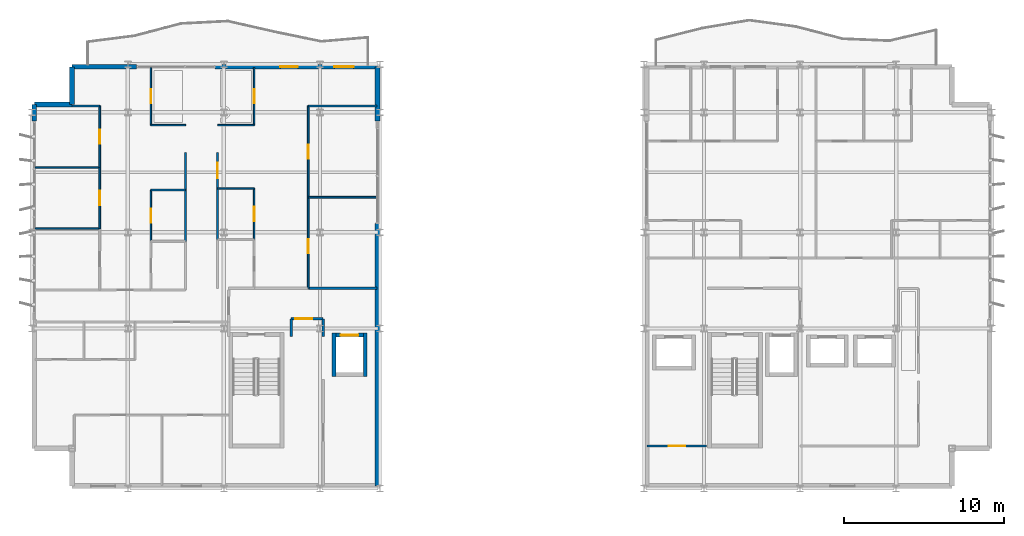
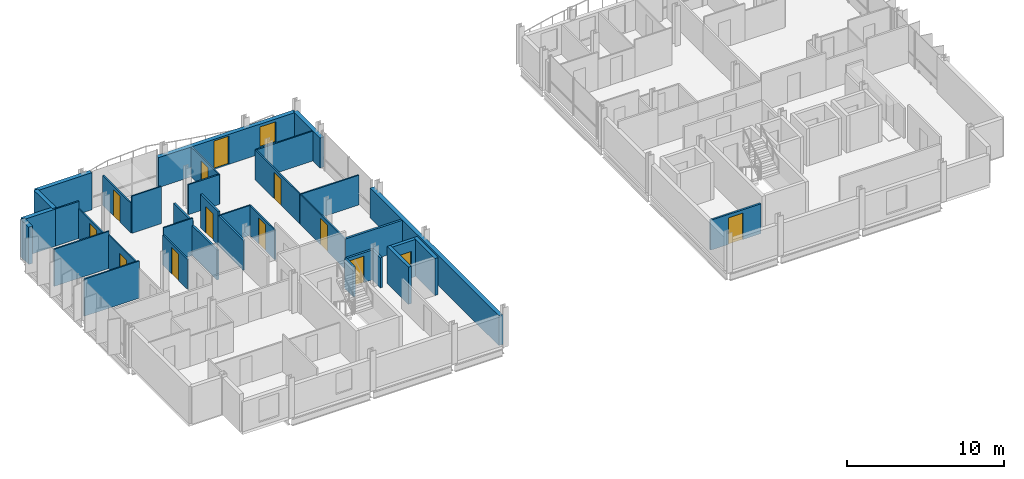
# One storey, part 22 of 28: 36 walls, 13 doors, 1 window, 14 openings.
"""IFC4 building model written with IfcOpenShell, lengths in metres."""

from ifc_helpers import new_model, si_unit, direction, frame, frame_2d, origin, place, context, subcontext, project, spatial, rectangle, extrude, material, layer, layer_set, type_object, element, fill, save


model = new_model("IFC4")

# Units and contexts
model_context = context("Model", 3, precision=1e-05, world=origin(), true_north=direction((0.0, 1.0)))
body_context = subcontext(model_context, "Body", "Model", "MODEL_VIEW")
ifc_project = project(units=[si_unit("LENGTHUNIT", "METRE"), si_unit("AREAUNIT", "SQUARE_METRE"), si_unit("VOLUMEUNIT", "CUBIC_METRE"), si_unit("PLANEANGLEUNIT", "RADIAN"), si_unit("MASSUNIT", "GRAM", prefix="KILO")], contexts=[model_context])

# Site, building, storey
site_placement = place(None, origin())
site = spatial("IfcSite", under=ifc_project, at=site_placement, CompositionType="ELEMENT")
building_placement = place(site_placement, origin())
building = spatial("IfcBuilding", under=site, at=building_placement, Name="Brevholm Reach", CompositionType="ELEMENT")
storey_placement = place(building_placement, frame((0.0, 0.0, 192.5)))
storey = spatial("IfcBuildingStorey", under=building, at=storey_placement, Name="L58", CompositionType="ELEMENT", Elevation=192.5)

# Walls
ifc_material_1 = material(Name="Concrete C45/55", Category="concrete")
ifc_layer_1 = layer(ifc_material_1, 0.239990234375)
ifc_layer_set_1 = layer_set([ifc_layer_1], Name="Concrete C45/55")
wall_type_1 = type_object("IfcWallType", Name="WAL-COR-240", PredefinedType="SHEAR", material=ifc_layer_set_1)
for number, where, z_axis, x_axis, name in (
    (1, (18.8701171875, 7.0, 0.0), (0.0, 0.0, 1.0), (0.0, 1.0, 0.0), "L58 Lift FFL-1 Shaft Wall W"),
    (2, (20.830078125, 7.0, 0.0), (0.0, 0.0, 1.0), (0.0, 1.0, 0.0), "L58 Lift FFL-1 Shaft Wall E"),
):
    element("IfcWall", number, at=place(storey_placement, frame(where, z_axis=z_axis, x_axis=x_axis)), inside=storey, type_object=wall_type_1, Name=name, PredefinedType="SHEAR", context=body_context, shape_type="SweptSolid", body=[
        extrude(rectangle(XDim=2.699951171875, YDim=0.239990234375, at=frame_2d((1.35009765625, 0.0))), origin(), (0.0, 0.0, 1.0), 2.889892578125),
    ])

# Wall, opening, door
wall_1_placement = place(storey_placement, frame((18.989990234375, 9.580078125, 0.0), z_axis=(0.0, 0.0, 1.0), x_axis=(1.0, 0.0, 0.0)))
wall_1 = element("IfcWall", 3, at=wall_1_placement, inside=storey, type_object=wall_type_1, Name="L58 Lift FFL-1 Shaft Wall N", PredefinedType="SHEAR", context=body_context, shape_type="SweptSolid", body=[
    extrude(rectangle(XDim=1.719970703125, YDim=0.239990234375, at=frame_2d((0.85986328125, 0.0))), origin(), (0.0, 0.0, 1.0), 2.889892578125),
])
opening_1_placement = place(wall_1_placement, frame((0.31005859375, 0.0, 0.0)))
opening_1 = element("IfcOpeningElement", 4, at=opening_1_placement, cuts=wall_1, Name="Opening LD-FFL-1", PredefinedType="OPENING", context=body_context, shape_type="SweptSolid", body=[
    extrude(rectangle(XDim=1.10009765625, YDim=2.06005859375, at=frame_2d((0.550048828125, 1.030029296875))), frame((0.0, 0.1298828125, 0.0), z_axis=(0.0, -1.0, 0.0), x_axis=(1.0, 0.0, 0.0)), (0.0, 0.0, 1.0), 0.260009765625),
])
ifc_material_2 = material(Name="Brushed Stainless Steel Fire-Rated Sliding Lift Door", Category="steel")
door_type_1 = type_object("IfcDoorType", Name="DOR-LFT-1100", OperationType="NOTDEFINED", PredefinedType="DOOR", material=ifc_material_2)
door_1_placement = place(opening_1_placement, origin())
door_1 = element("IfcDoor", 5, at=door_1_placement, inside=storey, type_object=door_type_1, Name="L58 Lift FFL-1 Sliding Landing Door", OperationType="SLIDING_TO_RIGHT", OverallHeight=2.06005859375, OverallWidth=1.10009765625, PredefinedType="DOOR", context=body_context, shape_type="SweptSolid", body=[
    extrude(rectangle(XDim=1.10009765625, YDim=2.06005859375, at=frame_2d((0.550048828125, 1.030029296875))), frame((0.0, 0.02490234375, 0.0), z_axis=(0.0, -1.0, 0.0), x_axis=(1.0, 0.0, 0.0)), (0.0, 0.0, 1.0), 0.050048828125),
])
fill(opening_1, door_1)

# Walls
ifc_material_3 = material(Name="Concrete C40/50", Category="concrete")
ifc_layer_2 = layer(ifc_material_3, 0.300048828125)
ifc_layer_set_2 = layer_set([ifc_layer_2], Name="Concrete C40/50")
wall_type_2 = type_object("IfcWallType", Name="WAL-EXT-300", PredefinedType="STANDARD", material=ifc_layer_set_2)
for number, where, z_axis, x_axis, name in (
    (6, (2.5, 26.35009765625, 0.0), (0.0, 0.0, 1.0), (0.0, -1.0, 0.0), "L58 Facade Wall WAL-L58-WW-CNW1"),
    (7, (2.5, 24.0, 0.0), (0.0, 0.0, 1.0), (-1.0, 0.0, 0.0), "L58 Facade Wall WAL-L58-WW-CNW2"),
):
    element("IfcWall", number, at=place(storey_placement, frame(where, z_axis=z_axis, x_axis=x_axis)), inside=storey, type_object=wall_type_2, Name=name, PredefinedType="STANDARD", context=body_context, shape_type="SweptSolid", body=[
        extrude(rectangle(XDim=2.35009765625, YDim=0.300048828125, at=frame_2d((1.175048828125, 0.0))), origin(), (0.0, 0.0, 1.0), 2.889892578125),
    ])
wall_2_placement = place(storey_placement, frame((0.14990234375, 24.0, 0.0), z_axis=(0.0, 0.0, 1.0), x_axis=(0.0, -1.0, 0.0)))
element("IfcWall", 8, at=wall_2_placement, inside=storey, type_object=wall_type_2, Name="L58 Facade Wall WAL-L58-WW-WN", PredefinedType="STANDARD", context=body_context, shape_type="SweptSolid", body=[
    extrude(rectangle(XDim=1.050048828125, YDim=0.300048828125, at=frame_2d((0.52490234375, 0.0))), origin(), (0.0, 0.0, 1.0), 2.889892578125),
])
wall_3_placement = place(storey_placement, frame((2.5, 26.35009765625, 0.0), z_axis=(0.0, 0.0, 1.0), x_axis=(1.0, 0.0, 0.0)))
element("IfcWall", 9, at=wall_3_placement, inside=storey, type_object=wall_type_2, Name="L58 Facade Wall WAL-L58-WW-NP1", PredefinedType="STANDARD", context=body_context, shape_type="SweptSolid", body=[
    extrude(rectangle(XDim=4.050048828125, YDim=0.300048828125, at=frame_2d((2.02490234375, 0.0))), origin(), (0.0, 0.0, 1.0), 2.889892578125),
])

# Wall, openings, door, window
wall_4_placement = place(storey_placement, frame((11.449951171875, 26.35009765625, 0.0), z_axis=(0.0, 0.0, 1.0), x_axis=(1.0, 0.0, 0.0)))
wall_4 = element("IfcWall", 10, at=wall_4_placement, inside=storey, type_object=wall_type_2, Name="L58 Facade Wall WAL-L58-WW-NP2", PredefinedType="STANDARD", context=body_context, shape_type="SweptSolid", body=[
    extrude(rectangle(XDim=10.150146484375, YDim=0.300048828125, at=frame_2d((5.0751953125, 0.0))), origin(), (0.0, 0.0, 1.0), 2.331787109375),
])
opening_2_placement = place(wall_4_placement, frame((4.073974609375, 0.0, 0.0)))
opening_2 = element("IfcOpeningElement", 11, at=opening_2_placement, cuts=wall_4, Name="Opening BD-01", PredefinedType="OPENING", context=body_context, shape_type="SweptSolid", body=[
    extrude(rectangle(XDim=1.10009765625, YDim=2.199951171875, at=frame_2d((0.550048828125, 1.10009765625))), frame((0.0, 0.159912109375, 0.0), z_axis=(0.0, -1.0, 0.0), x_axis=(1.0, 0.0, 0.0)), (0.0, 0.0, 1.0), 0.320068359375),
])
opening_3_placement = place(wall_4_placement, frame((7.449951171875, 0.0, 0.511962890625)))
opening_3 = element("IfcOpeningElement", 12, at=opening_3_placement, cuts=wall_4, Name="Opening WN-08", PredefinedType="OPENING", context=body_context, shape_type="SweptSolid", body=[
    extrude(rectangle(XDim=1.199951171875, YDim=1.60009765625, at=frame_2d((0.60009765625, 0.800048828125))), frame((0.0, 0.159912109375, 0.0), z_axis=(0.0, -1.0, 0.0), x_axis=(1.0, 0.0, 0.0)), (0.0, 0.0, 1.0), 0.320068359375),
])
ifc_material_4 = material(Name="Dark Anodised Aluminium and Triple-Glazed Glass", Category="aluminium")
door_type_2 = type_object("IfcDoorType", Name="DOR-BALC-1100", OperationType="NOTDEFINED", PredefinedType="DOOR", material=ifc_material_4)
door_2_placement = place(opening_2_placement, origin())
door_2 = element("IfcDoor", 13, at=door_2_placement, inside=storey, type_object=door_type_2, Name="L58 Exterior Door DOR-L58-BL-NW", OperationType="SINGLE_SWING_RIGHT", OverallHeight=2.199951171875, OverallWidth=1.10009765625, PredefinedType="DOOR", context=body_context, shape_type="SweptSolid", body=[
    extrude(rectangle(XDim=1.10009765625, YDim=2.199951171875, at=frame_2d((0.550048828125, 1.10009765625))), frame((0.0, 0.02490234375, 0.0), z_axis=(0.0, -1.0, 0.0), x_axis=(1.0, 0.0, 0.0)), (0.0, 0.0, 1.0), 0.050048828125),
])
fill(opening_2, door_2)
ifc_material_5 = material(Name="Dark Anodised Aluminium and Solar-Control IGU Glass", Category="aluminium")
window_type = type_object("IfcWindowType", Name="WIN-RES-1200", PartitioningType="SINGLE_PANEL", PredefinedType="WINDOW", material=ifc_material_5)
window_placement = place(opening_3_placement, origin())
window = element("IfcWindow", 14, at=window_placement, inside=storey, type_object=window_type, Name="L58 Window WIN-L58-WW-NP2", OverallHeight=1.60009765625, OverallWidth=1.199951171875, PartitioningType="SINGLE_PANEL", PredefinedType="WINDOW", context=body_context, shape_type="SweptSolid", body=[
    extrude(rectangle(XDim=1.199951171875, YDim=1.60009765625, at=frame_2d((0.60009765625, 0.800048828125))), frame((0.0, 0.030029296875, 0.0), z_axis=(0.0, -1.0, 0.0), x_axis=(1.0, 0.0, 0.0)), (0.0, 0.0, 1.0), 0.06005859375),
])
fill(opening_3, window)

# Walls
wall_5_placement = place(storey_placement, frame((21.60009765625, 0.14990234375, 0.0), z_axis=(0.0, 0.0, 1.0), x_axis=(0.0, 1.0, 0.0)))
element("IfcWall", 15, at=wall_5_placement, inside=storey, type_object=wall_type_2, Name="L58 Facade Wall WAL-L58-VP-WS", PredefinedType="STANDARD", context=body_context, shape_type="SweptSolid", body=[
    extrude(rectangle(XDim=16.400146484375, YDim=0.300048828125, at=frame_2d((8.2001953125, 0.0))), origin(), (0.0, 0.0, 1.0), 2.331787109375),
])
wall_6_placement = place(storey_placement, frame((21.60009765625, 22.949951171875, 0.0), z_axis=(0.0, 0.0, 1.0), x_axis=(0.0, 1.0, 0.0)))
element("IfcWall", 16, at=wall_6_placement, inside=storey, type_object=wall_type_2, Name="L58 Facade Wall WAL-L58-VP-WN", PredefinedType="STANDARD", context=body_context, shape_type="SweptSolid", body=[
    extrude(rectangle(XDim=3.400146484375, YDim=0.300048828125, at=frame_2d((1.7001953125, 0.0))), origin(), (0.0, 0.0, 1.0), 2.331787109375),
])
ifc_material_6 = material(Name="Moisture-Resistant Acoustic Gypsum Stud Partition 100 mm", Category="gypsum")
ifc_layer_3 = layer(ifc_material_6, 0.10009765625)
ifc_layer_set_3 = layer_set([ifc_layer_3], Name="Moisture-Resistant Acoustic Gypsum Stud Partition 100 mm")
wall_type_3 = type_object("IfcWallType", Name="WAL-PRT-100", PredefinedType="PARTITIONING", material=ifc_layer_set_3)
wall_7_placement = place(storey_placement, frame((7.43798828125, 18.64990234375, 0.0), z_axis=(0.0, 0.0, 1.0), x_axis=(1.0, 0.0, 0.0)))
element("IfcWall", 17, at=wall_7_placement, inside=storey, type_object=wall_type_3, Name="L58 Internal Partition 046", PredefinedType="PARTITIONING", context=body_context, shape_type="SweptSolid", body=[
    extrude(rectangle(XDim=2.157958984375, YDim=0.10009765625, at=frame_2d((1.0791015625, 0.0))), origin(), (0.0, 0.0, 1.0), 2.889892578125),
])

# Wall, opening, door
wall_8_placement = place(storey_placement, frame((7.43798828125, 15.4541015625, 0.0), z_axis=(0.0, 0.0, 1.0), x_axis=(0.0, 1.0, 0.0)))
wall_8 = element("IfcWall", 18, at=wall_8_placement, inside=storey, type_object=wall_type_3, Name="L58 Internal Partition 047", PredefinedType="PARTITIONING", context=body_context, shape_type="SweptSolid", body=[
    extrude(rectangle(XDim=3.19580078125, YDim=0.10009765625, at=frame_2d((1.597900390625, 0.0))), origin(), (0.0, 0.0, 1.0), 2.325439453125),
])
opening_4_placement = place(wall_8_placement, frame((1.157958984375, 0.0, 0.0)))
opening_4 = element("IfcOpeningElement", 19, at=opening_4_placement, cuts=wall_8, Name="Opening ID-01", PredefinedType="OPENING", context=body_context, shape_type="SweptSolid", body=[
    extrude(rectangle(XDim=0.8798828125, YDim=2.0400390625, at=frame_2d((0.43994140625, 1.02001953125))), frame((0.0, 0.06005859375, 0.0), z_axis=(0.0, -1.0, 0.0), x_axis=(1.0, 0.0, 0.0)), (0.0, 0.0, 1.0), 0.1201171875),
])
ifc_material_7 = material(Name="Lacquered Ash Solid-Core Acoustic Internal Door", Category="timber")
door_type_3 = type_object("IfcDoorType", Name="DOR-INT-880", OperationType="NOTDEFINED", PredefinedType="DOOR", material=ifc_material_7)
door_3_placement = place(opening_4_placement, origin())
door_3 = element("IfcDoor", 20, at=door_3_placement, inside=storey, type_object=door_type_3, Name="L58 Internal Door 019", OperationType="SINGLE_SWING_RIGHT", OverallHeight=2.0400390625, OverallWidth=0.8798828125, PredefinedType="DOOR", context=body_context, shape_type="SweptSolid", body=[
    extrude(rectangle(XDim=0.8798828125, YDim=2.0400390625, at=frame_2d((0.43994140625, 1.02001953125))), frame((0.0, 0.02490234375, 0.0), z_axis=(0.0, -1.0, 0.0), x_axis=(1.0, 0.0, 0.0)), (0.0, 0.0, 1.0), 0.050048828125),
])
fill(opening_4, door_3)

# Wall
wall_9_placement = place(storey_placement, frame((7.43798828125, 22.699951171875, 0.0), z_axis=(0.0, 0.0, 1.0), x_axis=(1.0, 0.0, 0.0)))
element("IfcWall", 21, at=wall_9_placement, inside=storey, type_object=wall_type_3, Name="L58 Internal Partition 048", PredefinedType="PARTITIONING", context=body_context, shape_type="SweptSolid", body=[
    extrude(rectangle(XDim=2.162109375, YDim=0.10009765625, at=frame_2d((1.0810546875, 0.0))), origin(), (0.0, 0.0, 1.0), 2.889892578125),
])

# Wall, opening, door
wall_10_placement = place(storey_placement, frame((7.43798828125, 22.699951171875, 0.0), z_axis=(0.0, 0.0, 1.0), x_axis=(0.0, 1.0, 0.0)))
wall_10 = element("IfcWall", 22, at=wall_10_placement, inside=storey, type_object=wall_type_3, Name="L58 Internal Partition 049", PredefinedType="PARTITIONING", context=body_context, shape_type="SweptSolid", body=[
    extrude(rectangle(XDim=3.60009765625, YDim=0.10009765625, at=frame_2d((1.800048828125, 0.0))), origin(), (0.0, 0.0, 1.0), 2.325439453125),
])
opening_5_placement = place(wall_10_placement, frame((1.360107421875, 0.0, 0.0)))
opening_5 = element("IfcOpeningElement", 23, at=opening_5_placement, cuts=wall_10, Name="Opening ID-01", PredefinedType="OPENING", context=body_context, shape_type="SweptSolid", body=[
    extrude(rectangle(XDim=0.8798828125, YDim=2.0400390625, at=frame_2d((0.43994140625, 1.02001953125))), frame((0.0, 0.06005859375, 0.0), z_axis=(0.0, -1.0, 0.0), x_axis=(1.0, 0.0, 0.0)), (0.0, 0.0, 1.0), 0.1201171875),
])
door_4_placement = place(opening_5_placement, origin())
door_4 = element("IfcDoor", 24, at=door_4_placement, inside=storey, type_object=door_type_3, Name="L58 Internal Door 020", OperationType="SINGLE_SWING_LEFT", OverallHeight=2.0400390625, OverallWidth=0.8798828125, PredefinedType="DOOR", context=body_context, shape_type="SweptSolid", body=[
    extrude(rectangle(XDim=0.8798828125, YDim=2.0400390625, at=frame_2d((0.43994140625, 1.02001953125))), frame((0.0, 0.02490234375, 0.0), z_axis=(0.0, -1.0, 0.0), x_axis=(1.0, 0.0, 0.0)), (0.0, 0.0, 1.0), 0.050048828125),
])
fill(opening_5, door_4)

# Walls
for number, where, z_axis, x_axis, name in (
    (25, (0.199951171875, 16.23291015625, 0.0), (0.0, 0.0, 1.0), (1.0, 0.0, 0.0), "L58 Internal Partition 050"),
    (26, (0.199951171875, 20.06591796875, 0.0), (0.0, 0.0, 1.0), (1.0, 0.0, 0.0), "L58 Internal Partition 052"),
):
    element("IfcWall", number, at=place(storey_placement, frame(where, z_axis=z_axis, x_axis=x_axis)), inside=storey, type_object=wall_type_3, Name=name, PredefinedType="PARTITIONING", context=body_context, shape_type="SweptSolid", body=[
        extrude(rectangle(XDim=4.0419921875, YDim=0.10009765625, at=frame_2d((2.02099609375, 0.0))), origin(), (0.0, 0.0, 1.0), 2.889892578125),
    ])

# Wall, opening, door
wall_11_placement = place(storey_placement, frame((4.241943359375, 16.237060546875, 0.0), z_axis=(0.0, 0.0, 1.0), x_axis=(0.0, 1.0, 0.0)))
wall_11 = element("IfcWall", 27, at=wall_11_placement, inside=storey, type_object=wall_type_3, Name="L58 Internal Partition 053", PredefinedType="PARTITIONING", context=body_context, shape_type="SweptSolid", body=[
    extrude(rectangle(XDim=3.828857421875, YDim=0.10009765625, at=frame_2d((1.91455078125, 0.0))), origin(), (0.0, 0.0, 1.0), 2.613525390625),
])
opening_6_placement = place(wall_11_placement, frame((1.474609375, 0.0, 0.0)))
opening_6 = element("IfcOpeningElement", 28, at=opening_6_placement, cuts=wall_11, Name="Opening ID-01", PredefinedType="OPENING", context=body_context, shape_type="SweptSolid", body=[
    extrude(rectangle(XDim=0.8798828125, YDim=2.0400390625, at=frame_2d((0.43994140625, 1.02001953125))), frame((0.0, 0.06005859375, 0.0), z_axis=(0.0, -1.0, 0.0), x_axis=(1.0, 0.0, 0.0)), (0.0, 0.0, 1.0), 0.1201171875),
])
door_5_placement = place(opening_6_placement, origin())
door_5 = element("IfcDoor", 29, at=door_5_placement, inside=storey, type_object=door_type_3, Name="L58 Internal Door 022", OperationType="SINGLE_SWING_LEFT", OverallHeight=2.0400390625, OverallWidth=0.8798828125, PredefinedType="DOOR", context=body_context, shape_type="SweptSolid", body=[
    extrude(rectangle(XDim=0.8798828125, YDim=2.0400390625, at=frame_2d((0.43994140625, 1.02001953125))), frame((0.0, 0.02490234375, 0.0), z_axis=(0.0, -1.0, 0.0), x_axis=(1.0, 0.0, 0.0)), (0.0, 0.0, 1.0), 0.050048828125),
])
fill(opening_6, door_5)

# Wall
wall_12_placement = place(storey_placement, frame((2.52001953125, 23.89892578125, 0.0), z_axis=(0.0, 0.0, 1.0), x_axis=(1.0, 0.0, 0.0)))
element("IfcWall", 30, at=wall_12_placement, inside=storey, type_object=wall_type_3, Name="L58 Internal Partition 054", PredefinedType="PARTITIONING", context=body_context, shape_type="SweptSolid", body=[
    extrude(rectangle(XDim=1.721923828125, YDim=0.10009765625, at=frame_2d((0.86083984375, 0.0))), origin(), (0.0, 0.0, 1.0), 2.889892578125),
])

# Wall, opening, door
wall_13_placement = place(storey_placement, frame((4.241943359375, 20.070068359375, 0.0), z_axis=(0.0, 0.0, 1.0), x_axis=(0.0, 1.0, 0.0)))
wall_13 = element("IfcWall", 31, at=wall_13_placement, inside=storey, type_object=wall_type_3, Name="L58 Internal Partition 055", PredefinedType="PARTITIONING", context=body_context, shape_type="SweptSolid", body=[
    extrude(rectangle(XDim=3.828857421875, YDim=0.10009765625, at=frame_2d((1.91455078125, 0.0))), origin(), (0.0, 0.0, 1.0), 2.325439453125),
])
opening_7_placement = place(wall_13_placement, frame((1.474609375, 0.0, 0.0)))
opening_7 = element("IfcOpeningElement", 32, at=opening_7_placement, cuts=wall_13, Name="Opening ID-01", PredefinedType="OPENING", context=body_context, shape_type="SweptSolid", body=[
    extrude(rectangle(XDim=0.8798828125, YDim=2.0400390625, at=frame_2d((0.43994140625, 1.02001953125))), frame((0.0, 0.06005859375, 0.0), z_axis=(0.0, -1.0, 0.0), x_axis=(1.0, 0.0, 0.0)), (0.0, 0.0, 1.0), 0.1201171875),
])
door_6_placement = place(opening_7_placement, origin())
door_6 = element("IfcDoor", 33, at=door_6_placement, inside=storey, type_object=door_type_3, Name="L58 Internal Door 023", OperationType="SINGLE_SWING_RIGHT", OverallHeight=2.0400390625, OverallWidth=0.8798828125, PredefinedType="DOOR", context=body_context, shape_type="SweptSolid", body=[
    extrude(rectangle(XDim=0.8798828125, YDim=2.0400390625, at=frame_2d((0.43994140625, 1.02001953125))), frame((0.0, 0.02490234375, 0.0), z_axis=(0.0, -1.0, 0.0), x_axis=(1.0, 0.0, 0.0)), (0.0, 0.0, 1.0), 0.050048828125),
])
fill(opening_7, door_6)

wall_14_placement = place(storey_placement, frame((13.888916015625, 15.553955078125, 0.0), z_axis=(0.0, 0.0, 1.0), x_axis=(0.0, 1.0, 0.0)))
wall_14 = element("IfcWall", 34, at=wall_14_placement, inside=storey, type_object=wall_type_3, Name="L58 Internal Partition 058", PredefinedType="PARTITIONING", context=body_context, shape_type="SweptSolid", body=[
    extrude(rectangle(XDim=3.196044921875, YDim=0.10009765625, at=frame_2d((1.59814453125, 0.0))), origin(), (0.0, 0.0, 1.0), 2.325439453125),
])
opening_8_placement = place(wall_14_placement, frame((1.157958984375, 0.0, 0.0)))
opening_8 = element("IfcOpeningElement", 35, at=opening_8_placement, cuts=wall_14, Name="Opening ID-01", PredefinedType="OPENING", context=body_context, shape_type="SweptSolid", body=[
    extrude(rectangle(XDim=0.8798828125, YDim=2.0400390625, at=frame_2d((0.43994140625, 1.02001953125))), frame((0.0, 0.06005859375, 0.0), z_axis=(0.0, -1.0, 0.0), x_axis=(1.0, 0.0, 0.0)), (0.0, 0.0, 1.0), 0.1201171875),
])
door_7_placement = place(opening_8_placement, origin())
door_7 = element("IfcDoor", 36, at=door_7_placement, inside=storey, type_object=door_type_3, Name="L58 Internal Door 025", OperationType="SINGLE_SWING_RIGHT", OverallHeight=2.0400390625, OverallWidth=0.8798828125, PredefinedType="DOOR", context=body_context, shape_type="SweptSolid", body=[
    extrude(rectangle(XDim=0.8798828125, YDim=2.0400390625, at=frame_2d((0.43994140625, 1.02001953125))), frame((0.0, 0.02490234375, 0.0), z_axis=(0.0, -1.0, 0.0), x_axis=(1.0, 0.0, 0.0)), (0.0, 0.0, 1.0), 0.050048828125),
])
fill(opening_8, door_7)

# Walls
wall_15_placement = place(storey_placement, frame((11.60400390625, 18.75, 0.0), z_axis=(0.0, 0.0, 1.0), x_axis=(1.0, 0.0, 0.0)))
element("IfcWall", 37, at=wall_15_placement, inside=storey, type_object=wall_type_3, Name="L58 Internal Partition 059", PredefinedType="PARTITIONING", context=body_context, shape_type="SweptSolid", body=[
    extrude(rectangle(XDim=2.284912109375, YDim=0.10009765625, at=frame_2d((1.142578125, 0.0))), origin(), (0.0, 0.0, 1.0), 2.325439453125),
])
wall_16_placement = place(storey_placement, frame((11.60009765625, 22.699951171875, 0.0), z_axis=(0.0, 0.0, 1.0), x_axis=(1.0, 0.0, 0.0)))
element("IfcWall", 38, at=wall_16_placement, inside=storey, type_object=wall_type_3, Name="L58 Internal Partition 060", PredefinedType="PARTITIONING", context=body_context, shape_type="SweptSolid", body=[
    extrude(rectangle(XDim=2.288818359375, YDim=0.10009765625, at=frame_2d((1.14453125, 0.0))), origin(), (0.0, 0.0, 1.0), 2.325439453125),
])

# Wall, opening, door
wall_17_placement = place(storey_placement, frame((13.888916015625, 22.699951171875, 0.0), z_axis=(0.0, 0.0, 1.0), x_axis=(0.0, 1.0, 0.0)))
wall_17 = element("IfcWall", 39, at=wall_17_placement, inside=storey, type_object=wall_type_3, Name="L58 Internal Partition 061", PredefinedType="PARTITIONING", context=body_context, shape_type="SweptSolid", body=[
    extrude(rectangle(XDim=3.60009765625, YDim=0.10009765625, at=frame_2d((1.800048828125, 0.0))), origin(), (0.0, 0.0, 1.0), 2.325439453125),
])
opening_9_placement = place(wall_17_placement, frame((1.360107421875, 0.0, 0.0)))
opening_9 = element("IfcOpeningElement", 40, at=opening_9_placement, cuts=wall_17, Name="Opening ID-01", PredefinedType="OPENING", context=body_context, shape_type="SweptSolid", body=[
    extrude(rectangle(XDim=0.8798828125, YDim=2.0400390625, at=frame_2d((0.43994140625, 1.02001953125))), frame((0.0, 0.06005859375, 0.0), z_axis=(0.0, -1.0, 0.0), x_axis=(1.0, 0.0, 0.0)), (0.0, 0.0, 1.0), 0.1201171875),
])
door_8_placement = place(opening_9_placement, origin())
door_8 = element("IfcDoor", 41, at=door_8_placement, inside=storey, type_object=door_type_3, Name="L58 Internal Door 026", OperationType="SINGLE_SWING_LEFT", OverallHeight=2.0400390625, OverallWidth=0.8798828125, PredefinedType="DOOR", context=body_context, shape_type="SweptSolid", body=[
    extrude(rectangle(XDim=0.8798828125, YDim=2.0400390625, at=frame_2d((0.43994140625, 1.02001953125))), frame((0.0, 0.02490234375, 0.0), z_axis=(0.0, -1.0, 0.0), x_axis=(1.0, 0.0, 0.0)), (0.0, 0.0, 1.0), 0.050048828125),
])
fill(opening_9, door_8)

# Wall
wall_18_placement = place(storey_placement, frame((17.27099609375, 18.199951171875, 0.0), z_axis=(0.0, 0.0, 1.0), x_axis=(1.0, 0.0, 0.0)))
element("IfcWall", 42, at=wall_18_placement, inside=storey, type_object=wall_type_3, Name="L58 Internal Partition 062", PredefinedType="PARTITIONING", context=body_context, shape_type="SweptSolid", body=[
    extrude(rectangle(XDim=4.279052734375, YDim=0.10009765625, at=frame_2d((2.1396484375, 0.0))), origin(), (0.0, 0.0, 1.0), 2.325439453125),
])

# Wall, opening, door
wall_19_placement = place(storey_placement, frame((17.27099609375, 12.50390625, 0.0), z_axis=(0.0, 0.0, 1.0), x_axis=(0.0, 1.0, 0.0)))
wall_19 = element("IfcWall", 43, at=wall_19_placement, inside=storey, type_object=wall_type_3, Name="L58 Internal Partition 063", PredefinedType="PARTITIONING", context=body_context, shape_type="SweptSolid", body=[
    extrude(rectangle(XDim=5.696044921875, YDim=0.10009765625, at=frame_2d((2.84814453125, 0.0))), origin(), (0.0, 0.0, 1.0), 2.325439453125),
])
opening_10_placement = place(wall_19_placement, frame((2.18798828125, 0.0, 0.0)))
opening_10 = element("IfcOpeningElement", 44, at=opening_10_placement, cuts=wall_19, Name="Opening ID-01", PredefinedType="OPENING", context=body_context, shape_type="SweptSolid", body=[
    extrude(rectangle(XDim=0.8798828125, YDim=2.0400390625, at=frame_2d((0.43994140625, 1.02001953125))), frame((0.0, 0.06005859375, 0.0), z_axis=(0.0, -1.0, 0.0), x_axis=(1.0, 0.0, 0.0)), (0.0, 0.0, 1.0), 0.1201171875),
])
door_9_placement = place(opening_10_placement, origin())
door_9 = element("IfcDoor", 45, at=door_9_placement, inside=storey, type_object=door_type_3, Name="L58 Internal Door 027", OperationType="SINGLE_SWING_RIGHT", OverallHeight=2.0400390625, OverallWidth=0.8798828125, PredefinedType="DOOR", context=body_context, shape_type="SweptSolid", body=[
    extrude(rectangle(XDim=0.8798828125, YDim=2.0400390625, at=frame_2d((0.43994140625, 1.02001953125))), frame((0.0, 0.02490234375, 0.0), z_axis=(0.0, -1.0, 0.0), x_axis=(1.0, 0.0, 0.0)), (0.0, 0.0, 1.0), 0.050048828125),
])
fill(opening_10, door_9)

# Wall
wall_20_placement = place(storey_placement, frame((17.27099609375, 23.89990234375, 0.0), z_axis=(0.0, 0.0, 1.0), x_axis=(1.0, 0.0, 0.0)))
element("IfcWall", 46, at=wall_20_placement, inside=storey, type_object=wall_type_3, Name="L58 Internal Partition 064", PredefinedType="PARTITIONING", context=body_context, shape_type="SweptSolid", body=[
    extrude(rectangle(XDim=4.279052734375, YDim=0.10009765625, at=frame_2d((2.1396484375, 0.0))), origin(), (0.0, 0.0, 1.0), 2.325439453125),
])

# Wall, opening, door
wall_21_placement = place(storey_placement, frame((17.27099609375, 18.2041015625, 0.0), z_axis=(0.0, 0.0, 1.0), x_axis=(0.0, 1.0, 0.0)))
wall_21 = element("IfcWall", 47, at=wall_21_placement, inside=storey, type_object=wall_type_3, Name="L58 Internal Partition 065", PredefinedType="PARTITIONING", context=body_context, shape_type="SweptSolid", body=[
    extrude(rectangle(XDim=5.69580078125, YDim=0.10009765625, at=frame_2d((2.847900390625, 0.0))), origin(), (0.0, 0.0, 1.0), 2.325439453125),
])
opening_11_placement = place(wall_21_placement, frame((2.407958984375, 0.0, 0.0)))
opening_11 = element("IfcOpeningElement", 48, at=opening_11_placement, cuts=wall_21, Name="Opening ID-01", PredefinedType="OPENING", context=body_context, shape_type="SweptSolid", body=[
    extrude(rectangle(XDim=0.8798828125, YDim=2.0400390625, at=frame_2d((0.43994140625, 1.02001953125))), frame((0.0, 0.06005859375, 0.0), z_axis=(0.0, -1.0, 0.0), x_axis=(1.0, 0.0, 0.0)), (0.0, 0.0, 1.0), 0.1201171875),
])
door_10_placement = place(opening_11_placement, origin())
door_10 = element("IfcDoor", 49, at=door_10_placement, inside=storey, type_object=door_type_3, Name="L58 Internal Door 028", OperationType="SINGLE_SWING_LEFT", OverallHeight=2.0400390625, OverallWidth=0.8798828125, PredefinedType="DOOR", context=body_context, shape_type="SweptSolid", body=[
    extrude(rectangle(XDim=0.8798828125, YDim=2.0400390625, at=frame_2d((0.43994140625, 1.02001953125))), frame((0.0, 0.02490234375, 0.0), z_axis=(0.0, -1.0, 0.0), x_axis=(1.0, 0.0, 0.0)), (0.0, 0.0, 1.0), 0.050048828125),
])
fill(opening_11, door_10)

ifc_material_8 = material(Name="Twin-Stud Acoustic Fire-Rated Gypsum Partition 140 mm", Category="gypsum")
ifc_layer_4 = layer(ifc_material_8, 0.139892578125)
ifc_layer_set_4 = layer_set([ifc_layer_4], Name="Twin-Stud Acoustic Fire-Rated Gypsum Partition 140 mm")
wall_type_4 = type_object("IfcWallType", Name="WAL-PRT-140", PredefinedType="PARTITIONING", material=ifc_layer_set_4)
wall_22_placement = place(storey_placement, frame((38.449951171875, 2.64990234375, 0.0), z_axis=(0.0, 0.0, 1.0), x_axis=(1.0, 0.0, 0.0)))
wall_22 = element("IfcWall", 50, at=wall_22_placement, inside=storey, type_object=wall_type_4, Name="L58 Internal Partition 007", PredefinedType="PARTITIONING", context=body_context, shape_type="SweptSolid", body=[
    extrude(rectangle(XDim=3.71142578125, YDim=0.139892578125, at=frame_2d((1.855712890625, 0.0))), origin(), (0.0, 0.0, 1.0), 2.325439453125),
])
opening_12_placement = place(wall_22_placement, frame((1.33056640625, 0.0, 0.0)))
opening_12 = element("IfcOpeningElement", 51, at=opening_12_placement, cuts=wall_22, Name="Opening FD-01", PredefinedType="OPENING", context=body_context, shape_type="SweptSolid", body=[
    extrude(rectangle(XDim=1.050048828125, YDim=2.06005859375, at=frame_2d((0.52490234375, 1.030029296875))), frame((0.0, 0.079833984375, 0.0), z_axis=(0.0, -1.0, 0.0), x_axis=(1.0, 0.0, 0.0)), (0.0, 0.0, 1.0), 0.159912109375),
])
ifc_material_9 = material(Name="Hardwood-Lipped Steel-Core Fire and Smoke Door", Category="steel")
door_type_4 = type_object("IfcDoorType", Name="DOR-INT-FD60S", OperationType="NOTDEFINED", PredefinedType="DOOR", material=ifc_material_9)
door_11_placement = place(opening_12_placement, origin())
door_11 = element("IfcDoor", 52, at=door_11_placement, inside=storey, type_object=door_type_4, Name="L58 Internal Door 005", OperationType="SINGLE_SWING_RIGHT", OverallHeight=2.06005859375, OverallWidth=1.050048828125, PredefinedType="DOOR", context=body_context, shape_type="SweptSolid", body=[
    extrude(rectangle(XDim=1.050048828125, YDim=2.06005859375, at=frame_2d((0.52490234375, 1.030029296875))), frame((0.0, 0.02490234375, 0.0), z_axis=(0.0, -1.0, 0.0), x_axis=(1.0, 0.0, 0.0)), (0.0, 0.0, 1.0), 0.050048828125),
])
fill(opening_12, door_11)

# Walls
wall_23_placement = place(storey_placement, frame((9.60009765625, 15.442626953125, 0.0), z_axis=(0.0, 0.0, 1.0), x_axis=(0.0, 1.0, 0.0)))
element("IfcWall", 53, at=wall_23_placement, inside=storey, type_object=wall_type_4, Name="L58 Internal Partition 021", PredefinedType="PARTITIONING", context=body_context, shape_type="SweptSolid", body=[
    extrude(rectangle(XDim=3.21875, YDim=0.139892578125, at=frame_2d((1.609375, 0.0))), origin(), (0.0, 0.0, 1.0), 2.325439453125),
])
wall_24_placement = place(storey_placement, frame((9.60009765625, 18.642578125, 0.0), z_axis=(0.0, 0.0, 1.0), x_axis=(0.0, 1.0, 0.0)))
element("IfcWall", 54, at=wall_24_placement, inside=storey, type_object=wall_type_4, Name="L58 Internal Partition 022", PredefinedType="PARTITIONING", context=body_context, shape_type="SweptSolid", body=[
    extrude(rectangle(XDim=2.357421875, YDim=0.139892578125, at=frame_2d((1.1787109375, 0.0))), origin(), (0.0, 0.0, 1.0), 2.613525390625),
])
wall_25_placement = place(storey_placement, frame((11.60009765625, 15.542724609375, 0.0), z_axis=(0.0, 0.0, 1.0), x_axis=(0.0, 1.0, 0.0)))
element("IfcWall", 55, at=wall_25_placement, inside=storey, type_object=wall_type_4, Name="L58 Internal Partition 024", PredefinedType="PARTITIONING", context=body_context, shape_type="SweptSolid", body=[
    extrude(rectangle(XDim=3.218505859375, YDim=0.139892578125, at=frame_2d((1.609375, 0.0))), origin(), (0.0, 0.0, 1.0), 2.325439453125),
])

# Wall, opening, door
wall_26_placement = place(storey_placement, frame((11.60009765625, 18.74267578125, 0.0), z_axis=(0.0, 0.0, 1.0), x_axis=(0.0, 1.0, 0.0)))
wall_26 = element("IfcWall", 56, at=wall_26_placement, inside=storey, type_object=wall_type_4, Name="L58 Internal Partition 025", PredefinedType="PARTITIONING", context=body_context, shape_type="SweptSolid", body=[
    extrude(rectangle(XDim=2.25732421875, YDim=0.139892578125, at=frame_2d((1.128662109375, 0.0))), origin(), (0.0, 0.0, 1.0), 2.613525390625),
])
opening_13_placement = place(wall_26_placement, frame((0.65380859375, 0.0, 0.0)))
opening_13 = element("IfcOpeningElement", 57, at=opening_13_placement, cuts=wall_26, Name="Opening ID-30", PredefinedType="OPENING", context=body_context, shape_type="SweptSolid", body=[
    extrude(rectangle(XDim=0.949951171875, YDim=2.050048828125, at=frame_2d((0.47509765625, 1.02490234375))), frame((0.0, 0.079833984375, 0.0), z_axis=(0.0, -1.0, 0.0), x_axis=(1.0, 0.0, 0.0)), (0.0, 0.0, 1.0), 0.159912109375),
])
ifc_material_10 = material(Name="European Oak Veneered Solid-Core Fire Entrance Door", Category="timber")
door_type_5 = type_object("IfcDoorType", Name="DOR-FLT-FD30S", OperationType="NOTDEFINED", PredefinedType="DOOR", material=ifc_material_10)
door_12_placement = place(opening_13_placement, origin())
door_12 = element("IfcDoor", 58, at=door_12_placement, inside=storey, type_object=door_type_5, Name="L58 Internal Door 009", OperationType="SINGLE_SWING_RIGHT", OverallHeight=2.050048828125, OverallWidth=0.949951171875, PredefinedType="DOOR", context=body_context, shape_type="SweptSolid", body=[
    extrude(rectangle(XDim=0.949951171875, YDim=2.050048828125, at=frame_2d((0.47509765625, 1.02490234375))), frame((0.0, 0.02490234375, 0.0), z_axis=(0.0, -1.0, 0.0), x_axis=(1.0, 0.0, 0.0)), (0.0, 0.0, 1.0), 0.050048828125),
])
fill(opening_13, door_12)

# Walls
ifc_material_11 = material(Name="Twin-Frame Fire-Rated Gypsum Board and Mineral Wool 160 mm", Category="gypsum")
ifc_layer_5 = layer(ifc_material_11, 0.159912109375)
ifc_layer_set_5 = layer_set([ifc_layer_5], Name="Twin-Frame Fire-Rated Gypsum Board and Mineral Wool 160 mm")
wall_type_5 = type_object("IfcWallType", Name="WAL-PRT-160", PredefinedType="PARTITIONING", material=ifc_layer_set_5)
for number, where, z_axis, x_axis, name in (
    (59, (16.199951171875, 9.48876953125, 0.0), (0.0, 0.0, 1.0), (0.0, 1.0, 0.0), "L58 Internal Partition 002"),
    (60, (18.199951171875, 9.48876953125, 0.0), (0.0, 0.0, 1.0), (0.0, 1.0, 0.0), "L58 Internal Partition 003"),
):
    element("IfcWall", number, at=place(storey_placement, frame(where, z_axis=z_axis, x_axis=x_axis)), inside=storey, type_object=wall_type_5, Name=name, PredefinedType="PARTITIONING", context=body_context, shape_type="SweptSolid", body=[
        extrude(rectangle(XDim=1.111328125, YDim=0.159912109375, at=frame_2d((0.5556640625, 0.0))), origin(), (0.0, 0.0, 1.0), 2.325439453125),
    ])

# Wall, opening, door
wall_27_placement = place(storey_placement, frame((16.199951171875, 10.60009765625, 0.0), z_axis=(0.0, 0.0, 1.0), x_axis=(1.0, 0.0, 0.0)))
wall_27 = element("IfcWall", 61, at=wall_27_placement, inside=storey, type_object=wall_type_5, Name="L58 Internal Partition 004", PredefinedType="PARTITIONING", context=body_context, shape_type="SweptSolid", body=[
    extrude(rectangle(XDim=2.0, YDim=0.159912109375, at=frame_2d((1.0, 0.0))), origin(), (0.0, 0.0, 1.0), 2.325439453125),
])
opening_14_placement = place(wall_27_placement, frame((0.2548828125, 0.0, 0.0)))
opening_14 = element("IfcOpeningElement", 62, at=opening_14_placement, cuts=wall_27, Name="Opening FD-01", PredefinedType="OPENING", context=body_context, shape_type="SweptSolid", body=[
    extrude(rectangle(XDim=1.050048828125, YDim=2.06005859375, at=frame_2d((0.52490234375, 1.030029296875))), frame((0.0, 0.08984375, 0.0), z_axis=(0.0, -1.0, 0.0), x_axis=(1.0, 0.0, 0.0)), (0.0, 0.0, 1.0), 0.179931640625),
])
door_13_placement = place(opening_14_placement, origin())
door_13 = element("IfcDoor", 63, at=door_13_placement, inside=storey, type_object=door_type_4, Name="L58 Internal Door 002", OperationType="SINGLE_SWING_LEFT", OverallHeight=2.06005859375, OverallWidth=1.050048828125, PredefinedType="DOOR", context=body_context, shape_type="SweptSolid", body=[
    extrude(rectangle(XDim=1.050048828125, YDim=2.06005859375, at=frame_2d((0.52490234375, 1.030029296875))), frame((0.0, 0.02490234375, 0.0), z_axis=(0.0, -1.0, 0.0), x_axis=(1.0, 0.0, 0.0)), (0.0, 0.0, 1.0), 0.050048828125),
])
fill(opening_14, door_13)

# Wall
wall_28_placement = place(storey_placement, frame((17.259765625, 12.5, 0.0), z_axis=(0.0, 0.0, 1.0), x_axis=(1.0, 0.0, 0.0)))
element("IfcWall", 64, at=wall_28_placement, inside=storey, type_object=wall_type_5, Name="L58 Internal Partition 012", PredefinedType="PARTITIONING", context=body_context, shape_type="SweptSolid", body=[
    extrude(rectangle(XDim=4.301513671875, YDim=0.159912109375, at=frame_2d((2.15087890625, 0.0))), origin(), (0.0, 0.0, 1.0), 2.325439453125),
])

save(model, "model.ifc")
